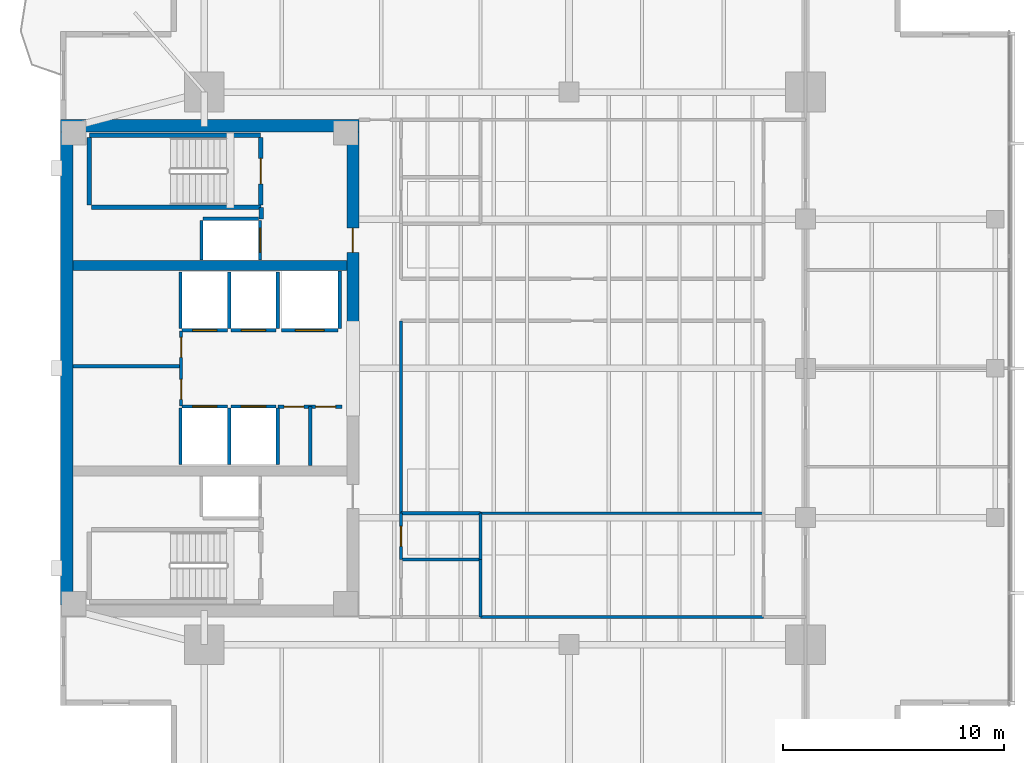
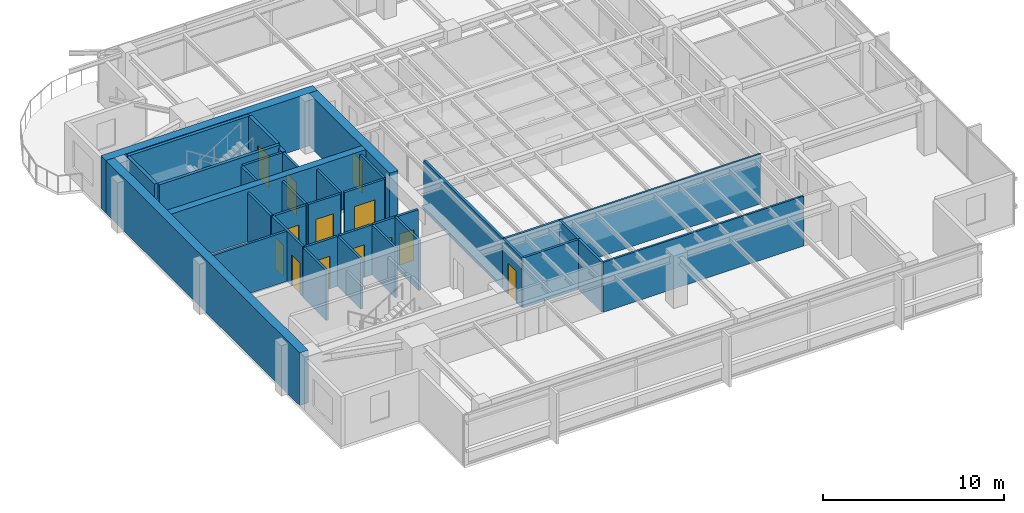
# One storey, part 8 of 14: 36 walls, 13 doors, 13 openings.
"""IFC4 building model written with IfcOpenShell, lengths in metres."""

from ifc_helpers import new_model, si_unit, direction, frame, frame_2d, origin, place, context, subcontext, project, spatial, rectangle, extrude, material, layer, layer_set, type_object, element, fill, save


model = new_model("IFC4")

# Units and contexts
model_context = context("Model", 3, precision=1e-05, world=origin(), true_north=direction((0.0, 1.0)))
body_context = subcontext(model_context, "Body", "Model", "MODEL_VIEW")
ifc_project = project(units=[si_unit("LENGTHUNIT", "METRE"), si_unit("AREAUNIT", "SQUARE_METRE"), si_unit("VOLUMEUNIT", "CUBIC_METRE"), si_unit("PLANEANGLEUNIT", "RADIAN"), si_unit("MASSUNIT", "GRAM", prefix="KILO")], contexts=[model_context])

# Site, building, storey
site_placement = place(None, origin())
site = spatial("IfcSite", under=ifc_project, at=site_placement, CompositionType="ELEMENT")
building_placement = place(site_placement, origin())
building = spatial("IfcBuilding", under=site, at=building_placement, Name="Kinhvarn Gate Tower", CompositionType="ELEMENT")
storey_placement = place(building_placement, frame((0.0, 0.0, 205.800048828125)))
storey = spatial("IfcBuildingStorey", under=building, at=storey_placement, Name="L54", CompositionType="ELEMENT", Elevation=205.800048828125)

# Walls
ifc_material_1 = material(Name="Concrete C50/60", Category="concrete")
ifc_layer_1 = layer(ifc_material_1, 0.449951171875)
ifc_layer_set_1 = layer_set([ifc_layer_1], Name="Concrete C50/60")
wall_type_1 = type_object("IfcWallType", Name="WL-CORE-450", PredefinedType="SHEAR", material=ifc_layer_set_1)
wall_1_placement = place(storey_placement, frame((5.050048828125, 29.89990234375, 0.0), z_axis=(0.0, 0.0, 1.0), x_axis=(1.0, 0.0, 0.0)))
element("IfcWall", 1, at=wall_1_placement, inside=storey, type_object=wall_type_1, Name="Core North Spine Shear Wall L54 450 mm", PredefinedType="SHEAR", context=body_context, shape_type="SweptSolid", body=[
    extrude(rectangle(XDim=12.39990234375, YDim=0.449951171875, at=frame_2d((6.199951171875, 0.0))), origin(), (0.0, 0.0, 1.0), 3.550048828125),
])
ifc_material_2 = material(Name="Concrete C60/75", Category="concrete")
ifc_layer_2 = layer(ifc_material_2, 0.550048828125)
ifc_layer_set_2 = layer_set([ifc_layer_2], Name="Concrete C60/75")
wall_type_2 = type_object("IfcWallType", Name="WL-CORE-550", PredefinedType="SHEAR", material=ifc_layer_set_2)
wall_2_placement = place(storey_placement, frame((4.5, 36.22509765625, 0.0), z_axis=(0.0, 0.0, 1.0), x_axis=(1.0, 0.0, 0.0)))
element("IfcWall", 2, at=wall_2_placement, inside=storey, type_object=wall_type_2, Name="Core North Shear Wall L54 550 mm", PredefinedType="SHEAR", context=body_context, shape_type="SweptSolid", body=[
    extrude(rectangle(XDim=13.5, YDim=0.550048828125, at=frame_2d((6.75, 0.0))), origin(), (0.0, 0.0, 1.0), 3.550048828125),
])

# Wall, opening, door
wall_3_placement = place(storey_placement, frame((17.72509765625, 27.050048828125, 0.0), z_axis=(0.0, 0.0, 1.0), x_axis=(0.0, 1.0, 0.0)))
wall_3 = element("IfcWall", 3, at=wall_3_placement, inside=storey, type_object=wall_type_2, Name="Core East-North Shear Pier L54 550 mm", PredefinedType="SHEAR", context=body_context, shape_type="SweptSolid", body=[
    extrude(rectangle(XDim=8.89990234375, YDim=0.550048828125, at=frame_2d((4.449951171875, 0.0))), origin(), (0.0, 0.0, 1.0), 3.550048828125),
])
opening_1_placement = place(wall_3_placement, frame((3.449951171875, 0.0, 0.0)))
opening_1 = element("IfcOpeningElement", 4, at=opening_1_placement, cuts=wall_3, Name="Opening FD-02", PredefinedType="OPENING", context=body_context, shape_type="SweptSolid", body=[
    extrude(rectangle(XDim=1.10009765625, YDim=2.14990234375, at=frame_2d((0.550048828125, 1.074951171875))), frame((0.0, 0.28515625, 0.0), z_axis=(0.0, -1.0, 0.0), x_axis=(1.0, 0.0, 0.0)), (0.0, 0.0, 1.0), 0.570068359375),
])
ifc_material_3 = material(Name="Anodised aluminium AW-6063", Category="aluminium")
door_type_1 = type_object("IfcDoorType", Name="DR-FD-1100", OperationType="NOTDEFINED", PredefinedType="DOOR", material=ifc_material_3)
door_1_placement = place(opening_1_placement, origin())
door_1 = element("IfcDoor", 5, at=door_1_placement, inside=storey, type_object=door_type_1, Name="Firefighting Lobby Core Door (L54)", OperationType="SINGLE_SWING_LEFT", OverallHeight=2.14990234375, OverallWidth=1.10009765625, PredefinedType="DOOR", context=body_context, shape_type="SweptSolid", body=[
    extrude(rectangle(XDim=1.10009765625, YDim=2.14990234375, at=frame_2d((0.550048828125, 1.074951171875))), frame((0.0, 0.02490234375, 0.0), z_axis=(0.0, -1.0, 0.0), x_axis=(1.0, 0.0, 0.0)), (0.0, 0.0, 1.0), 0.050048828125),
])
fill(opening_1, door_1)

# Walls
ifc_layer_3 = layer(ifc_material_2, 0.550048828125)
ifc_layer_set_3 = layer_set([ifc_layer_3], Name="Concrete C60/75")
wall_type_3 = type_object("IfcWallType", Name="WL-COREX-550", PredefinedType="SHEAR", material=ifc_layer_set_3)
wall_4_placement = place(storey_placement, frame((4.77490234375, 14.550048828125, 0.0), z_axis=(0.0, 0.0, 1.0), x_axis=(0.0, 1.0, 0.0)))
element("IfcWall", 6, at=wall_4_placement, inside=storey, type_object=wall_type_3, Name="Core West Shear Wall L54 550 mm", PredefinedType="SHEAR", context=body_context, shape_type="SweptSolid", body=[
    extrude(rectangle(XDim=21.39990234375, YDim=0.550048828125, at=frame_2d((10.699951171875, 0.0))), origin(), (0.0, 0.0, 1.0), 3.550048828125),
])
ifc_material_4 = material(Name="Gypsum acoustic partition board")
ifc_layer_4 = layer(ifc_material_4, 0.14990234375)
ifc_layer_set_4 = layer_set([ifc_layer_4], Name="Gypsum acoustic partition board")
wall_type_4 = type_object("IfcWallType", Name="WL-PLM-150", PredefinedType="PLUMBINGWALL", material=ifc_layer_set_4)
wall_5_placement = place(storey_placement, frame((19.89990234375, 16.60009765625, 0.0), z_axis=(0.0, 0.0, 1.0), x_axis=(1.0, 0.0, 0.0)))
element("IfcWall", 7, at=wall_5_placement, inside=storey, type_object=wall_type_4, Name="Interior Partition PLW-150 (L54)", PredefinedType="PLUMBINGWALL", context=body_context, shape_type="SweptSolid", body=[
    extrude(rectangle(XDim=3.60009765625, YDim=0.14990234375, at=frame_2d((1.800048828125, 0.0))), origin(), (0.0, 0.0, 1.0), 3.369873046875),
])
wall_6_placement = place(storey_placement, frame((23.5, 14.0, 0.0), z_axis=(0.0, 0.0, 1.0), x_axis=(0.0, 1.0, 0.0)))
element("IfcWall", 8, at=wall_6_placement, inside=storey, type_object=wall_type_4, Name="Interior Partition PLW-150 (L54)", PredefinedType="PLUMBINGWALL", context=body_context, shape_type="SweptSolid", body=[
    extrude(rectangle(XDim=2.60009765625, YDim=0.14990234375, at=frame_2d((1.300048828125, 0.0))), origin(), (0.0, 0.0, 1.0), 3.369873046875),
])
wall_7_placement = place(storey_placement, frame((23.5, 16.60009765625, 0.0), z_axis=(0.0, 0.0, 1.0), x_axis=(0.0, 1.0, 0.0)))
element("IfcWall", 9, at=wall_7_placement, inside=storey, type_object=wall_type_4, Name="Interior Partition PLW-150 (L54)", PredefinedType="PLUMBINGWALL", context=body_context, shape_type="SweptSolid", body=[
    extrude(rectangle(XDim=2.099853515625, YDim=0.14990234375, at=frame_2d((1.0498046875, 0.0))), origin(), (0.0, 0.0, 1.0), 3.369873046875),
])
wall_8_placement = place(storey_placement, frame((19.89990234375, 18.699951171875, 0.0), z_axis=(0.0, 0.0, 1.0), x_axis=(1.0, 0.0, 0.0)))
element("IfcWall", 10, at=wall_8_placement, inside=storey, type_object=wall_type_4, Name="Interior Partition PLW-150 (L54)", PredefinedType="PLUMBINGWALL", context=body_context, shape_type="SweptSolid", body=[
    extrude(rectangle(XDim=3.60009765625, YDim=0.14990234375, at=frame_2d((1.800048828125, 0.0))), origin(), (0.0, 0.0, 1.0), 3.369873046875),
])

# Wall, opening, door
ifc_layer_5 = layer(ifc_material_4, 0.14990234375)
ifc_layer_set_5 = layer_set([ifc_layer_5], Name="Gypsum acoustic partition board")
wall_type_5 = type_object("IfcWallType", Name="WL-PLM-150F", PredefinedType="PLUMBINGWALL", material=ifc_layer_set_5)
wall_9_placement = place(storey_placement, frame((19.89990234375, 16.60009765625, 0.0), z_axis=(0.0, 0.0, 1.0), x_axis=(0.0, 1.0, 0.0)))
wall_9 = element("IfcWall", 11, at=wall_9_placement, inside=storey, type_object=wall_type_5, Name="Interior Partition PLW-150F (L54)", PredefinedType="PLUMBINGWALL", context=body_context, shape_type="SweptSolid", body=[
    extrude(rectangle(XDim=2.099853515625, YDim=0.14990234375, at=frame_2d((1.0498046875, 0.0))), origin(), (0.0, 0.0, 1.0), 3.369873046875),
])
opening_2_placement = place(wall_9_placement, frame((0.60009765625, 0.0, 0.0)))
opening_2 = element("IfcOpeningElement", 12, at=opening_2_placement, cuts=wall_9, Name="Opening FD-04", PredefinedType="OPENING", context=body_context, shape_type="SweptSolid", body=[
    extrude(rectangle(XDim=0.89990234375, YDim=2.10009765625, at=frame_2d((0.449951171875, 1.050048828125))), frame((0.0, 0.0849609375, 0.0), z_axis=(0.0, -1.0, 0.0), x_axis=(1.0, 0.0, 0.0)), (0.0, 0.0, 1.0), 0.169921875),
])
door_type_2 = type_object("IfcDoorType", Name="DR-FD-900", OperationType="NOTDEFINED", PredefinedType="DOOR", material=ifc_material_3)
door_2_placement = place(opening_2_placement, origin())
door_2 = element("IfcDoor", 13, at=door_2_placement, inside=storey, type_object=door_type_2, Name="Rated Riser & Service Closet Fire Door 900x2100 mm (L54)", OperationType="SINGLE_SWING_LEFT", OverallHeight=2.10009765625, OverallWidth=0.89990234375, PredefinedType="DOOR", context=body_context, shape_type="SweptSolid", body=[
    extrude(rectangle(XDim=0.89990234375, YDim=2.10009765625, at=frame_2d((0.449951171875, 1.050048828125))), frame((0.0, 0.02490234375, 0.0), z_axis=(0.0, -1.0, 0.0), x_axis=(1.0, 0.0, 0.0)), (0.0, 0.0, 1.0), 0.050048828125),
])
fill(opening_2, door_2)

# Walls
ifc_layer_6 = layer(ifc_material_4, 0.1201171875)
ifc_layer_set_6 = layer_set([ifc_layer_6], Name="Gypsum acoustic partition board")
wall_type_6 = type_object("IfcWallType", Name="WL-PRT-120", PredefinedType="PARTITIONING", material=ifc_layer_set_6)
for number, where, z_axis, x_axis, name in (
    (14, (23.5, 18.699951171875, 0.0), (0.0, 0.0, 1.0), (1.0, 0.0, 0.0), "Interior Partition PW-120 (L54)"),
    (15, (23.5, 14.0, 0.0), (0.0, 0.0, 1.0), (1.0, 0.0, 0.0), "Interior Partition PW-120 (L54)"),
):
    element("IfcWall", number, at=place(storey_placement, frame(where, z_axis=z_axis, x_axis=x_axis)), inside=storey, type_object=wall_type_6, Name=name, PredefinedType="PARTITIONING", context=body_context, shape_type="SweptSolid", body=[
        extrude(rectangle(XDim=12.800048828125, YDim=0.1201171875, at=frame_2d((6.39990234375, 0.0))), origin(), (0.0, 0.0, 1.0), 3.369873046875),
    ])
ifc_layer_7 = layer(ifc_material_4, 0.14990234375)
ifc_layer_set_7 = layer_set([ifc_layer_7], Name="Gypsum acoustic partition board")
wall_type_7 = type_object("IfcWallType", Name="WL-PRT-150F", PredefinedType="PARTITIONING", material=ifc_layer_set_7)
wall_10_placement = place(storey_placement, frame((5.050048828125, 25.35009765625, 0.0), z_axis=(0.0, 0.0, 1.0), x_axis=(1.0, 0.0, 0.0)))
element("IfcWall", 16, at=wall_10_placement, inside=storey, type_object=wall_type_7, Name="Interior Partition PW-150F (L54)", PredefinedType="PARTITIONING", context=body_context, shape_type="SweptSolid", body=[
    extrude(rectangle(XDim=4.89990234375, YDim=0.14990234375, at=frame_2d((2.449951171875, 0.0))), origin(), (0.0, 0.0, 1.0), 3.369873046875),
])

# Wall, openings, doors
wall_11_placement = place(storey_placement, frame((9.949951171875, 23.550048828125, 0.0), z_axis=(0.0, 0.0, 1.0), x_axis=(0.0, 1.0, 0.0)))
wall_11 = element("IfcWall", 17, at=wall_11_placement, inside=storey, type_object=wall_type_7, Name="Interior Partition PW-150F (L54)", PredefinedType="PARTITIONING", context=body_context, shape_type="SweptSolid", body=[
    extrude(rectangle(XDim=3.39990234375, YDim=0.14990234375, at=frame_2d((1.699951171875, 0.0))), origin(), (0.0, 0.0, 1.0), 3.369873046875),
])
opening_3_placement = place(wall_11_placement, frame((0.298095703125, 0.0, 0.0)))
opening_3 = element("IfcOpeningElement", 18, at=opening_3_placement, cuts=wall_11, Name="Opening FD-04", PredefinedType="OPENING", context=body_context, shape_type="SweptSolid", body=[
    extrude(rectangle(XDim=0.89990234375, YDim=2.10009765625, at=frame_2d((0.449951171875, 1.050048828125))), frame((0.0, 0.0849609375, 0.0), z_axis=(0.0, -1.0, 0.0), x_axis=(1.0, 0.0, 0.0)), (0.0, 0.0, 1.0), 0.169921875),
])
opening_4_placement = place(wall_11_placement, frame((2.201904296875, 0.0, 0.0)))
opening_4 = element("IfcOpeningElement", 19, at=opening_4_placement, cuts=wall_11, Name="Opening FD-04", PredefinedType="OPENING", context=body_context, shape_type="SweptSolid", body=[
    extrude(rectangle(XDim=0.89990234375, YDim=2.10009765625, at=frame_2d((0.449951171875, 1.050048828125))), frame((0.0, 0.0849609375, 0.0), z_axis=(0.0, -1.0, 0.0), x_axis=(1.0, 0.0, 0.0)), (0.0, 0.0, 1.0), 0.169921875),
])
door_3_placement = place(opening_3_placement, origin())
door_3 = element("IfcDoor", 20, at=door_3_placement, inside=storey, type_object=door_type_2, Name="Rated Riser & Service Closet Fire Door 900x2100 mm (L54)", OperationType="SINGLE_SWING_LEFT", OverallHeight=2.10009765625, OverallWidth=0.89990234375, PredefinedType="DOOR", context=body_context, shape_type="SweptSolid", body=[
    extrude(rectangle(XDim=0.89990234375, YDim=2.10009765625, at=frame_2d((0.449951171875, 1.050048828125))), frame((0.0, 0.02490234375, 0.0), z_axis=(0.0, -1.0, 0.0), x_axis=(1.0, 0.0, 0.0)), (0.0, 0.0, 1.0), 0.050048828125),
])
fill(opening_3, door_3)
door_4_placement = place(opening_4_placement, origin())
door_4 = element("IfcDoor", 21, at=door_4_placement, inside=storey, type_object=door_type_2, Name="Rated Riser & Service Closet Fire Door 900x2100 mm (L54)", OperationType="SINGLE_SWING_RIGHT", OverallHeight=2.10009765625, OverallWidth=0.89990234375, PredefinedType="DOOR", context=body_context, shape_type="SweptSolid", body=[
    extrude(rectangle(XDim=0.89990234375, YDim=2.10009765625, at=frame_2d((0.449951171875, 1.050048828125))), frame((0.0, 0.02490234375, 0.0), z_axis=(0.0, -1.0, 0.0), x_axis=(1.0, 0.0, 0.0)), (0.0, 0.0, 1.0), 0.050048828125),
])
fill(opening_4, door_4)

# Wall
wall_12_placement = place(storey_placement, frame((15.800048828125, 20.85009765625, 0.0), z_axis=(0.0, 0.0, 1.0), x_axis=(0.0, 1.0, 0.0)))
element("IfcWall", 22, at=wall_12_placement, inside=storey, type_object=wall_type_7, Name="Interior Partition PW-150F (L54)", PredefinedType="PARTITIONING", context=body_context, shape_type="SweptSolid", body=[
    extrude(rectangle(XDim=2.669921875, YDim=0.14990234375, at=frame_2d((1.3349609375, 0.0))), origin(), (0.0, 0.0, 1.0), 3.369873046875),
])

# Wall, openings, doors
wall_13_placement = place(storey_placement, frame((14.330078125, 23.52001953125, 0.0), z_axis=(0.0, 0.0, 1.0), x_axis=(1.0, 0.0, 0.0)))
wall_13 = element("IfcWall", 23, at=wall_13_placement, inside=storey, type_object=wall_type_7, Name="Interior Partition PW-150F (L54)", PredefinedType="PARTITIONING", context=body_context, shape_type="SweptSolid", body=[
    extrude(rectangle(XDim=2.889892578125, YDim=0.14990234375, at=frame_2d((1.44482421875, 0.0))), origin(), (0.0, 0.0, 1.0), 3.369873046875),
])
opening_5_placement = place(wall_13_placement, frame((0.280029296875, 0.0, 0.0)))
opening_5 = element("IfcOpeningElement", 24, at=opening_5_placement, cuts=wall_13, Name="Opening FD-04", PredefinedType="OPENING", context=body_context, shape_type="SweptSolid", body=[
    extrude(rectangle(XDim=0.89990234375, YDim=2.10009765625, at=frame_2d((0.449951171875, 1.050048828125))), frame((0.0, 0.0849609375, 0.0), z_axis=(0.0, -1.0, 0.0), x_axis=(1.0, 0.0, 0.0)), (0.0, 0.0, 1.0), 0.169921875),
])
opening_6_placement = place(wall_13_placement, frame((1.7099609375, 0.0, 0.0)))
opening_6 = element("IfcOpeningElement", 25, at=opening_6_placement, cuts=wall_13, Name="Opening FD-04", PredefinedType="OPENING", context=body_context, shape_type="SweptSolid", body=[
    extrude(rectangle(XDim=0.89990234375, YDim=2.10009765625, at=frame_2d((0.449951171875, 1.050048828125))), frame((0.0, 0.0849609375, 0.0), z_axis=(0.0, -1.0, 0.0), x_axis=(1.0, 0.0, 0.0)), (0.0, 0.0, 1.0), 0.169921875),
])
door_5_placement = place(opening_5_placement, origin())
door_5 = element("IfcDoor", 26, at=door_5_placement, inside=storey, type_object=door_type_2, Name="Rated Riser & Service Closet Fire Door 900x2100 mm (L54)", OperationType="SINGLE_SWING_LEFT", OverallHeight=2.10009765625, OverallWidth=0.89990234375, PredefinedType="DOOR", context=body_context, shape_type="SweptSolid", body=[
    extrude(rectangle(XDim=0.89990234375, YDim=2.10009765625, at=frame_2d((0.449951171875, 1.050048828125))), frame((0.0, 0.02490234375, 0.0), z_axis=(0.0, -1.0, 0.0), x_axis=(1.0, 0.0, 0.0)), (0.0, 0.0, 1.0), 0.050048828125),
])
fill(opening_5, door_5)
door_6_placement = place(opening_6_placement, origin())
door_6 = element("IfcDoor", 27, at=door_6_placement, inside=storey, type_object=door_type_2, Name="Rated Riser & Service Closet Fire Door 900x2100 mm (L54)", OperationType="SINGLE_SWING_RIGHT", OverallHeight=2.10009765625, OverallWidth=0.89990234375, PredefinedType="DOOR", context=body_context, shape_type="SweptSolid", body=[
    extrude(rectangle(XDim=0.89990234375, YDim=2.10009765625, at=frame_2d((0.449951171875, 1.050048828125))), frame((0.0, 0.02490234375, 0.0), z_axis=(0.0, -1.0, 0.0), x_axis=(1.0, 0.0, 0.0)), (0.0, 0.0, 1.0), 0.050048828125),
])
fill(opening_6, door_6)

# Walls
wall_14_placement = place(storey_placement, frame((19.89990234375, 18.699951171875, 0.0), z_axis=(0.0, 0.0, 1.0), x_axis=(0.0, 1.0, 0.0)))
element("IfcWall", 28, at=wall_14_placement, inside=storey, type_object=wall_type_7, Name="Interior Partition PW-150F (L54)", PredefinedType="PARTITIONING", context=body_context, shape_type="SweptSolid", body=[
    extrude(rectangle(XDim=8.699951171875, YDim=0.14990234375, at=frame_2d((4.35009765625, 0.0))), origin(), (0.0, 0.0, 1.0), 3.369873046875),
])
ifc_layer_8 = layer(ifc_material_4, 0.199951171875)
ifc_layer_set_8 = layer_set([ifc_layer_8], Name="Gypsum acoustic partition board")
wall_type_8 = type_object("IfcWallType", Name="WL-PRT-200", PredefinedType="PARTITIONING", material=ifc_layer_set_8)
wall_15_placement = place(storey_placement, frame((13.580078125, 32.0, 0.0), z_axis=(0.0, 0.0, 1.0), x_axis=(0.0, 1.0, 0.0)))
element("IfcWall", 29, at=wall_15_placement, inside=storey, type_object=wall_type_8, Name="Interior Partition PW-200 (L54)", PredefinedType="PARTITIONING", context=body_context, shape_type="SweptSolid", body=[
    extrude(rectangle(XDim=0.5400390625, YDim=0.199951171875, at=frame_2d((0.27001953125, 0.0))), origin(), (0.0, 0.0, 1.0), 3.369873046875),
])

# Wall, opening, door
ifc_layer_9 = layer(ifc_material_4, 0.14990234375)
ifc_layer_set_9 = layer_set([ifc_layer_9], Name="Gypsum acoustic partition board")
wall_type_9 = type_object("IfcWallType", Name="WL-SHF-150", PredefinedType="PARTITIONING", material=ifc_layer_set_9)
wall_16_placement = place(storey_placement, frame((10.0, 23.52490234375, 0.0), z_axis=(0.0, 0.0, 1.0), x_axis=(1.0, 0.0, 0.0)))
wall_16 = element("IfcWall", 30, at=wall_16_placement, inside=storey, type_object=wall_type_9, Name="Elevator PH-09 Landing Wall (L54)", PredefinedType="PARTITIONING", context=body_context, shape_type="SweptSolid", body=[
    extrude(rectangle(XDim=2.050048828125, YDim=0.14990234375, at=frame_2d((1.02490234375, 0.0))), origin(), (0.0, 0.0, 1.0), 3.369873046875),
])
opening_7_placement = place(wall_16_placement, frame((0.47509765625, 0.0, 0.0)))
opening_7 = element("IfcOpeningElement", 31, at=opening_7_placement, cuts=wall_16, Name="Opening LD-01", PredefinedType="OPENING", context=body_context, shape_type="SweptSolid", body=[
    extrude(rectangle(XDim=1.10009765625, YDim=2.199951171875, at=frame_2d((0.550048828125, 1.10009765625))), frame((0.0, 0.0849609375, 0.0), z_axis=(0.0, -1.0, 0.0), x_axis=(1.0, 0.0, 0.0)), (0.0, 0.0, 1.0), 0.169921875),
])
door_type_3 = type_object("IfcDoorType", Name="DR-LND-PAS", OperationType="NOTDEFINED", PredefinedType="DOOR", material=ifc_material_3)
door_7_placement = place(opening_7_placement, origin())
door_7 = element("IfcDoor", 32, at=door_7_placement, inside=storey, type_object=door_type_3, Name="Elevator PH-09 Sliding Landing Door (L54)", OperationType="DOUBLE_DOOR_SLIDING", OverallHeight=2.199951171875, OverallWidth=1.10009765625, PredefinedType="DOOR", context=body_context, shape_type="SweptSolid", body=[
    extrude(rectangle(XDim=1.10009765625, YDim=2.199951171875, at=frame_2d((0.550048828125, 1.10009765625))), frame((0.0, 0.02490234375, 0.0), z_axis=(0.0, -1.0, 0.0), x_axis=(1.0, 0.0, 0.0)), (0.0, 0.0, 1.0), 0.050048828125),
])
fill(opening_7, door_7)

# Walls
for number, where, z_axis, x_axis, name in (
    (33, (9.925048828125, 20.89990234375, 0.0), (0.0, 0.0, 1.0), (0.0, 1.0, 0.0), "Elevator PH-09 Hoistway Wall W (L54)"),
    (34, (12.125, 20.89990234375, 0.0), (0.0, 0.0, 1.0), (0.0, 1.0, 0.0), "Elevator PH-09 Hoistway Wall E (L54)"),
):
    element("IfcWall", number, at=place(storey_placement, frame(where, z_axis=z_axis, x_axis=x_axis)), inside=storey, type_object=wall_type_9, Name=name, PredefinedType="PARTITIONING", context=body_context, shape_type="SweptSolid", body=[
        extrude(rectangle(XDim=2.550048828125, YDim=0.14990234375, at=frame_2d((1.27490234375, 0.0))), origin(), (0.0, 0.0, 1.0), 3.369873046875),
    ])

# Wall, opening, door
wall_17_placement = place(storey_placement, frame((12.199951171875, 23.52490234375, 0.0), z_axis=(0.0, 0.0, 1.0), x_axis=(1.0, 0.0, 0.0)))
wall_17 = element("IfcWall", 35, at=wall_17_placement, inside=storey, type_object=wall_type_9, Name="Elevator PH-10 Landing Wall (L54)", PredefinedType="PARTITIONING", context=body_context, shape_type="SweptSolid", body=[
    extrude(rectangle(XDim=2.050048828125, YDim=0.14990234375, at=frame_2d((1.02490234375, 0.0))), origin(), (0.0, 0.0, 1.0), 3.369873046875),
])
opening_8_placement = place(wall_17_placement, frame((0.47509765625, 0.0, 0.0)))
opening_8 = element("IfcOpeningElement", 36, at=opening_8_placement, cuts=wall_17, Name="Opening LD-01", PredefinedType="OPENING", context=body_context, shape_type="SweptSolid", body=[
    extrude(rectangle(XDim=1.10009765625, YDim=2.199951171875, at=frame_2d((0.550048828125, 1.10009765625))), frame((0.0, 0.0849609375, 0.0), z_axis=(0.0, -1.0, 0.0), x_axis=(1.0, 0.0, 0.0)), (0.0, 0.0, 1.0), 0.169921875),
])
door_8_placement = place(opening_8_placement, origin())
door_8 = element("IfcDoor", 37, at=door_8_placement, inside=storey, type_object=door_type_3, Name="Elevator PH-10 Sliding Landing Door (L54)", OperationType="DOUBLE_DOOR_SLIDING", OverallHeight=2.199951171875, OverallWidth=1.10009765625, PredefinedType="DOOR", context=body_context, shape_type="SweptSolid", body=[
    extrude(rectangle(XDim=1.10009765625, YDim=2.199951171875, at=frame_2d((0.550048828125, 1.10009765625))), frame((0.0, 0.02490234375, 0.0), z_axis=(0.0, -1.0, 0.0), x_axis=(1.0, 0.0, 0.0)), (0.0, 0.0, 1.0), 0.050048828125),
])
fill(opening_8, door_8)

# Wall
wall_18_placement = place(storey_placement, frame((14.324951171875, 20.89990234375, 0.0), z_axis=(0.0, 0.0, 1.0), x_axis=(0.0, 1.0, 0.0)))
element("IfcWall", 38, at=wall_18_placement, inside=storey, type_object=wall_type_9, Name="Elevator PH-10 Hoistway Wall E (L54)", PredefinedType="PARTITIONING", context=body_context, shape_type="SweptSolid", body=[
    extrude(rectangle(XDim=2.550048828125, YDim=0.14990234375, at=frame_2d((1.27490234375, 0.0))), origin(), (0.0, 0.0, 1.0), 3.369873046875),
])

# Wall, opening, door
wall_19_placement = place(storey_placement, frame((10.0, 26.97509765625, 0.0), z_axis=(0.0, 0.0, 1.0), x_axis=(1.0, 0.0, 0.0)))
wall_19 = element("IfcWall", 39, at=wall_19_placement, inside=storey, type_object=wall_type_9, Name="Elevator PH-11 Landing Wall (L54)", PredefinedType="PARTITIONING", context=body_context, shape_type="SweptSolid", body=[
    extrude(rectangle(XDim=2.050048828125, YDim=0.14990234375, at=frame_2d((1.02490234375, 0.0))), origin(), (0.0, 0.0, 1.0), 3.369873046875),
])
opening_9_placement = place(wall_19_placement, frame((0.47509765625, 0.0, 0.0)))
opening_9 = element("IfcOpeningElement", 40, at=opening_9_placement, cuts=wall_19, Name="Opening LD-01", PredefinedType="OPENING", context=body_context, shape_type="SweptSolid", body=[
    extrude(rectangle(XDim=1.10009765625, YDim=2.199951171875, at=frame_2d((0.550048828125, 1.10009765625))), frame((0.0, 0.0849609375, 0.0), z_axis=(0.0, -1.0, 0.0), x_axis=(1.0, 0.0, 0.0)), (0.0, 0.0, 1.0), 0.169921875),
])
door_9_placement = place(opening_9_placement, origin())
door_9 = element("IfcDoor", 41, at=door_9_placement, inside=storey, type_object=door_type_3, Name="Elevator PH-11 Sliding Landing Door (L54)", OperationType="DOUBLE_DOOR_SLIDING", OverallHeight=2.199951171875, OverallWidth=1.10009765625, PredefinedType="DOOR", context=body_context, shape_type="SweptSolid", body=[
    extrude(rectangle(XDim=1.10009765625, YDim=2.199951171875, at=frame_2d((0.550048828125, 1.10009765625))), frame((0.0, 0.02490234375, 0.0), z_axis=(0.0, -1.0, 0.0), x_axis=(1.0, 0.0, 0.0)), (0.0, 0.0, 1.0), 0.050048828125),
])
fill(opening_9, door_9)

# Walls
for number, where, z_axis, x_axis, name in (
    (42, (9.925048828125, 27.050048828125, 0.0), (0.0, 0.0, 1.0), (0.0, 1.0, 0.0), "Elevator PH-11 Hoistway Wall W (L54)"),
    (43, (12.125, 27.050048828125, 0.0), (0.0, 0.0, 1.0), (0.0, 1.0, 0.0), "Elevator PH-11 Hoistway Wall E (L54)"),
):
    element("IfcWall", number, at=place(storey_placement, frame(where, z_axis=z_axis, x_axis=x_axis)), inside=storey, type_object=wall_type_9, Name=name, PredefinedType="PARTITIONING", context=body_context, shape_type="SweptSolid", body=[
        extrude(rectangle(XDim=2.550048828125, YDim=0.14990234375, at=frame_2d((1.27490234375, 0.0))), origin(), (0.0, 0.0, 1.0), 3.369873046875),
    ])

# Wall, opening, door
wall_20_placement = place(storey_placement, frame((12.199951171875, 26.97509765625, 0.0), z_axis=(0.0, 0.0, 1.0), x_axis=(1.0, 0.0, 0.0)))
wall_20 = element("IfcWall", 44, at=wall_20_placement, inside=storey, type_object=wall_type_9, Name="Elevator PH-12 Landing Wall (L54)", PredefinedType="PARTITIONING", context=body_context, shape_type="SweptSolid", body=[
    extrude(rectangle(XDim=2.050048828125, YDim=0.14990234375, at=frame_2d((1.02490234375, 0.0))), origin(), (0.0, 0.0, 1.0), 3.369873046875),
])
opening_10_placement = place(wall_20_placement, frame((0.47509765625, 0.0, 0.0)))
opening_10 = element("IfcOpeningElement", 45, at=opening_10_placement, cuts=wall_20, Name="Opening LD-01", PredefinedType="OPENING", context=body_context, shape_type="SweptSolid", body=[
    extrude(rectangle(XDim=1.10009765625, YDim=2.199951171875, at=frame_2d((0.550048828125, 1.10009765625))), frame((0.0, 0.0849609375, 0.0), z_axis=(0.0, -1.0, 0.0), x_axis=(1.0, 0.0, 0.0)), (0.0, 0.0, 1.0), 0.169921875),
])
door_10_placement = place(opening_10_placement, origin())
door_10 = element("IfcDoor", 46, at=door_10_placement, inside=storey, type_object=door_type_3, Name="Elevator PH-12 Sliding Landing Door (L54)", OperationType="DOUBLE_DOOR_SLIDING", OverallHeight=2.199951171875, OverallWidth=1.10009765625, PredefinedType="DOOR", context=body_context, shape_type="SweptSolid", body=[
    extrude(rectangle(XDim=1.10009765625, YDim=2.199951171875, at=frame_2d((0.550048828125, 1.10009765625))), frame((0.0, 0.02490234375, 0.0), z_axis=(0.0, -1.0, 0.0), x_axis=(1.0, 0.0, 0.0)), (0.0, 0.0, 1.0), 0.050048828125),
])
fill(opening_10, door_10)

# Wall
wall_21_placement = place(storey_placement, frame((14.324951171875, 27.050048828125, 0.0), z_axis=(0.0, 0.0, 1.0), x_axis=(0.0, 1.0, 0.0)))
element("IfcWall", 47, at=wall_21_placement, inside=storey, type_object=wall_type_9, Name="Elevator PH-12 Hoistway Wall E (L54)", PredefinedType="PARTITIONING", context=body_context, shape_type="SweptSolid", body=[
    extrude(rectangle(XDim=2.550048828125, YDim=0.14990234375, at=frame_2d((1.27490234375, 0.0))), origin(), (0.0, 0.0, 1.0), 3.369873046875),
])

# Wall, opening, door
wall_22_placement = place(storey_placement, frame((14.5, 26.97509765625, 0.0), z_axis=(0.0, 0.0, 1.0), x_axis=(1.0, 0.0, 0.0)))
wall_22 = element("IfcWall", 48, at=wall_22_placement, inside=storey, type_object=wall_type_9, Name="Elevator SV-01 Landing Wall (L54)", PredefinedType="PARTITIONING", context=body_context, shape_type="SweptSolid", body=[
    extrude(rectangle(XDim=2.550048828125, YDim=0.14990234375, at=frame_2d((1.27490234375, 0.0))), origin(), (0.0, 0.0, 1.0), 3.369873046875),
])
opening_11_placement = place(wall_22_placement, frame((0.625, 0.0, 0.0)))
opening_11 = element("IfcOpeningElement", 49, at=opening_11_placement, cuts=wall_22, Name="Opening LD-02", PredefinedType="OPENING", context=body_context, shape_type="SweptSolid", body=[
    extrude(rectangle(XDim=1.300048828125, YDim=2.199951171875, at=frame_2d((0.64990234375, 1.10009765625))), frame((0.0, 0.0849609375, 0.0), z_axis=(0.0, -1.0, 0.0), x_axis=(1.0, 0.0, 0.0)), (0.0, 0.0, 1.0), 0.169921875),
])
door_type_4 = type_object("IfcDoorType", Name="DR-LND-SRV", OperationType="NOTDEFINED", PredefinedType="DOOR", material=ifc_material_3)
door_11_placement = place(opening_11_placement, origin())
door_11 = element("IfcDoor", 50, at=door_11_placement, inside=storey, type_object=door_type_4, Name="Elevator SV-01 Sliding Landing Door (L54)", OperationType="DOUBLE_DOOR_SLIDING", OverallHeight=2.199951171875, OverallWidth=1.300048828125, PredefinedType="DOOR", context=body_context, shape_type="SweptSolid", body=[
    extrude(rectangle(XDim=1.300048828125, YDim=2.199951171875, at=frame_2d((0.64990234375, 1.10009765625))), frame((0.0, 0.02490234375, 0.0), z_axis=(0.0, -1.0, 0.0), x_axis=(1.0, 0.0, 0.0)), (0.0, 0.0, 1.0), 0.050048828125),
])
fill(opening_11, door_11)

# Walls
wall_23_placement = place(storey_placement, frame((17.125, 27.050048828125, 0.0), z_axis=(0.0, 0.0, 1.0), x_axis=(0.0, 1.0, 0.0)))
element("IfcWall", 51, at=wall_23_placement, inside=storey, type_object=wall_type_9, Name="Elevator SV-01 Hoistway Wall E (L54)", PredefinedType="PARTITIONING", context=body_context, shape_type="SweptSolid", body=[
    extrude(rectangle(XDim=2.599853515625, YDim=0.14990234375, at=frame_2d((1.2998046875, 0.0))), origin(), (0.0, 0.0, 1.0), 3.369873046875),
])
wall_24_placement = place(storey_placement, frame((10.949951171875, 32.02490234375, 0.0), z_axis=(0.0, 0.0, 1.0), x_axis=(1.0, 0.0, 0.0)))
element("IfcWall", 52, at=wall_24_placement, inside=storey, type_object=wall_type_9, Name="Elevator FF2 Hoistway Wall N (L54)", PredefinedType="PARTITIONING", context=body_context, shape_type="SweptSolid", body=[
    extrude(rectangle(XDim=2.5, YDim=0.14990234375, at=frame_2d((1.25, 0.0))), origin(), (0.0, 0.0, 1.0), 3.369873046875),
])
wall_25_placement = place(storey_placement, frame((10.875, 30.14990234375, 0.0), z_axis=(0.0, 0.0, 1.0), x_axis=(0.0, 1.0, 0.0)))
element("IfcWall", 53, at=wall_25_placement, inside=storey, type_object=wall_type_9, Name="Elevator FF2 Hoistway Wall W (L54)", PredefinedType="PARTITIONING", context=body_context, shape_type="SweptSolid", body=[
    extrude(rectangle(XDim=1.800048828125, YDim=0.14990234375, at=frame_2d((0.89990234375, 0.0))), origin(), (0.0, 0.0, 1.0), 3.369873046875),
])

# Wall, opening, door
wall_26_placement = place(storey_placement, frame((13.52490234375, 30.14990234375, 0.0), z_axis=(0.0, 0.0, 1.0), x_axis=(0.0, 1.0, 0.0)))
wall_26 = element("IfcWall", 54, at=wall_26_placement, inside=storey, type_object=wall_type_9, Name="Elevator FF2 Landing Wall (L54)", PredefinedType="PARTITIONING", context=body_context, shape_type="SweptSolid", body=[
    extrude(rectangle(XDim=1.800048828125, YDim=0.14990234375, at=frame_2d((0.89990234375, 0.0))), origin(), (0.0, 0.0, 1.0), 3.369873046875),
])
opening_12_placement = place(wall_26_placement, frame((0.35009765625, 0.0, 0.0)))
opening_12 = element("IfcOpeningElement", 55, at=opening_12_placement, cuts=wall_26, Name="Opening LD-03", PredefinedType="OPENING", context=body_context, shape_type="SweptSolid", body=[
    extrude(rectangle(XDim=1.10009765625, YDim=2.199951171875, at=frame_2d((0.550048828125, 1.10009765625))), frame((0.0, 0.0849609375, 0.0), z_axis=(0.0, -1.0, 0.0), x_axis=(1.0, 0.0, 0.0)), (0.0, 0.0, 1.0), 0.169921875),
])
door_type_5 = type_object("IfcDoorType", Name="DR-LND-FF", OperationType="NOTDEFINED", PredefinedType="DOOR", material=ifc_material_3)
door_12_placement = place(opening_12_placement, origin())
door_12 = element("IfcDoor", 56, at=door_12_placement, inside=storey, type_object=door_type_5, Name="Elevator FF2 Sliding Landing Door (L54)", OperationType="DOUBLE_DOOR_SLIDING", OverallHeight=2.199951171875, OverallWidth=1.10009765625, PredefinedType="DOOR", context=body_context, shape_type="SweptSolid", body=[
    extrude(rectangle(XDim=1.10009765625, YDim=2.199951171875, at=frame_2d((0.550048828125, 1.10009765625))), frame((0.0, 0.02490234375, 0.0), z_axis=(0.0, -1.0, 0.0), x_axis=(1.0, 0.0, 0.0)), (0.0, 0.0, 1.0), 0.050048828125),
])
fill(opening_12, door_12)

# Walls
ifc_material_5 = material(Name="Concrete C40/50", Category="concrete")
ifc_layer_10 = layer(ifc_material_5, 0.199951171875)
ifc_layer_set_10 = layer_set([ifc_layer_10], Name="Concrete C40/50")
wall_type_10 = type_object("IfcWallType", Name="WL-SHF-200", PredefinedType="SOLIDWALL", material=ifc_layer_set_10)
wall_27_placement = place(storey_placement, frame((5.800048828125, 35.800048828125, 0.0), z_axis=(0.0, 0.0, 1.0), x_axis=(1.0, 0.0, 0.0)))
element("IfcWall", 57, at=wall_27_placement, inside=storey, type_object=wall_type_10, Name="Stair ST2 North Shaft Wall (L54)", PredefinedType="SOLIDWALL", context=body_context, shape_type="SweptSolid", body=[
    extrude(rectangle(XDim=7.75, YDim=0.199951171875, at=frame_2d((3.875, 0.0))), origin(), (0.0, 0.0, 1.0), 3.550048828125),
])
wall_28_placement = place(storey_placement, frame((5.7900390625, 32.64990234375, 0.0), z_axis=(0.0, 0.0, 1.0), x_axis=(0.0, 1.0, 0.0)))
element("IfcWall", 58, at=wall_28_placement, inside=storey, type_object=wall_type_10, Name="Stair ST2 West Shaft Wall (L54)", PredefinedType="SOLIDWALL", context=body_context, shape_type="SweptSolid", body=[
    extrude(rectangle(XDim=3.050048828125, YDim=0.199951171875, at=frame_2d((1.52490234375, 0.0))), origin(), (0.0, 0.0, 1.0), 3.550048828125),
])
wall_29_placement = place(storey_placement, frame((5.89990234375, 32.5400390625, 0.0), z_axis=(0.0, 0.0, 1.0), x_axis=(1.0, 0.0, 0.0)))
element("IfcWall", 59, at=wall_29_placement, inside=storey, type_object=wall_type_10, Name="Stair ST2 South Shaft Wall (L54)", PredefinedType="SOLIDWALL", context=body_context, shape_type="SweptSolid", body=[
    extrude(rectangle(XDim=7.66015625, YDim=0.199951171875, at=frame_2d((3.830078125, 0.0))), origin(), (0.0, 0.0, 1.0), 3.550048828125),
])

# Wall, opening, door
wall_30_placement = place(storey_placement, frame((13.56005859375, 32.64990234375, 0.0), z_axis=(0.0, 0.0, 1.0), x_axis=(0.0, 1.0, 0.0)))
wall_30 = element("IfcWall", 60, at=wall_30_placement, inside=storey, type_object=wall_type_10, Name="Stair ST2 East Entry Wall (L54)", PredefinedType="SOLIDWALL", context=body_context, shape_type="SweptSolid", body=[
    extrude(rectangle(XDim=3.050048828125, YDim=0.199951171875, at=frame_2d((1.52490234375, 0.0))), origin(), (0.0, 0.0, 1.0), 3.550048828125),
])
opening_13_placement = place(wall_30_placement, frame((0.949951171875, 0.0, 0.0)))
opening_13 = element("IfcOpeningElement", 61, at=opening_13_placement, cuts=wall_30, Name="Opening FD-01", PredefinedType="OPENING", context=body_context, shape_type="SweptSolid", body=[
    extrude(rectangle(XDim=1.14990234375, YDim=2.14990234375, at=frame_2d((0.574951171875, 1.074951171875))), frame((0.0, 0.10986328125, 0.0), z_axis=(0.0, -1.0, 0.0), x_axis=(1.0, 0.0, 0.0)), (0.0, 0.0, 1.0), 0.219970703125),
])
door_type_6 = type_object("IfcDoorType", Name="DR-ST-1150", OperationType="NOTDEFINED", PredefinedType="DOOR", material=ifc_material_3)
door_13_placement = place(opening_13_placement, origin())
door_13 = element("IfcDoor", 62, at=door_13_placement, inside=storey, type_object=door_type_6, Name="Exit Stair ST2 Fire Door (L54)", OperationType="SINGLE_SWING_LEFT", OverallHeight=2.14990234375, OverallWidth=1.14990234375, PredefinedType="DOOR", context=body_context, shape_type="SweptSolid", body=[
    extrude(rectangle(XDim=1.14990234375, YDim=2.14990234375, at=frame_2d((0.574951171875, 1.074951171875))), frame((0.0, 0.02490234375, 0.0), z_axis=(0.0, -1.0, 0.0), x_axis=(1.0, 0.0, 0.0)), (0.0, 0.0, 1.0), 0.050048828125),
])
fill(opening_13, door_13)

save(model, "model.ifc")
